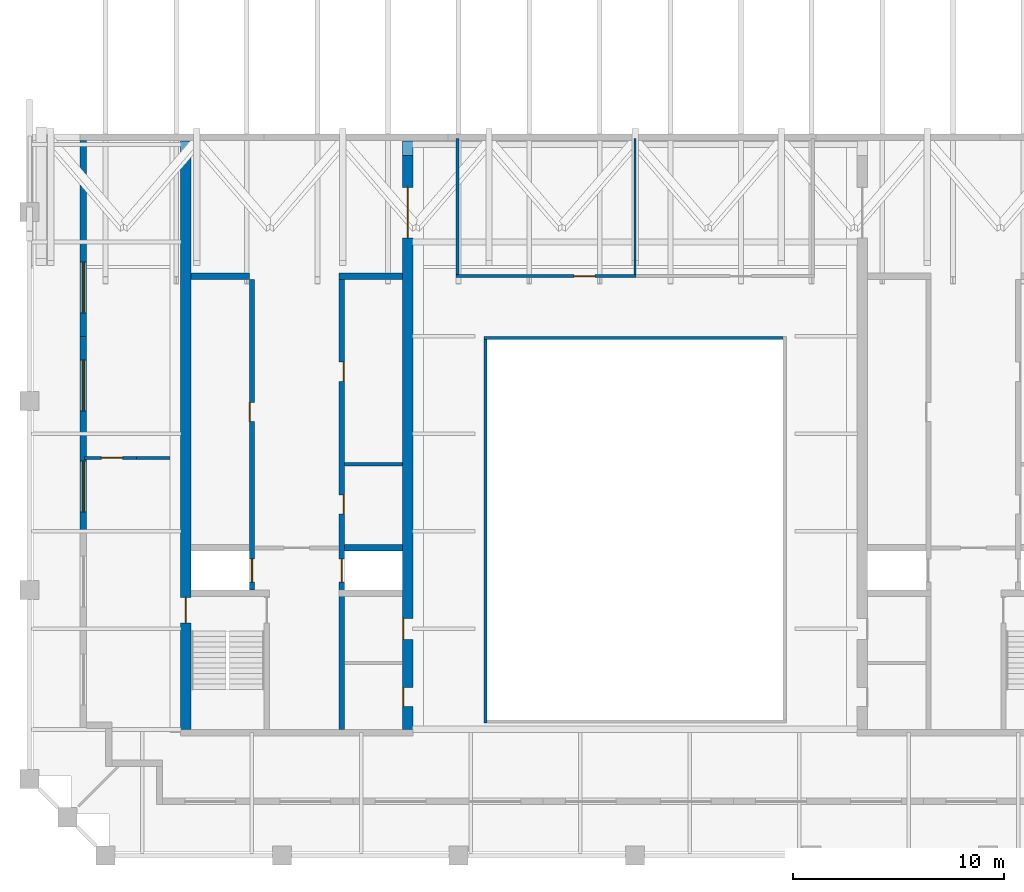
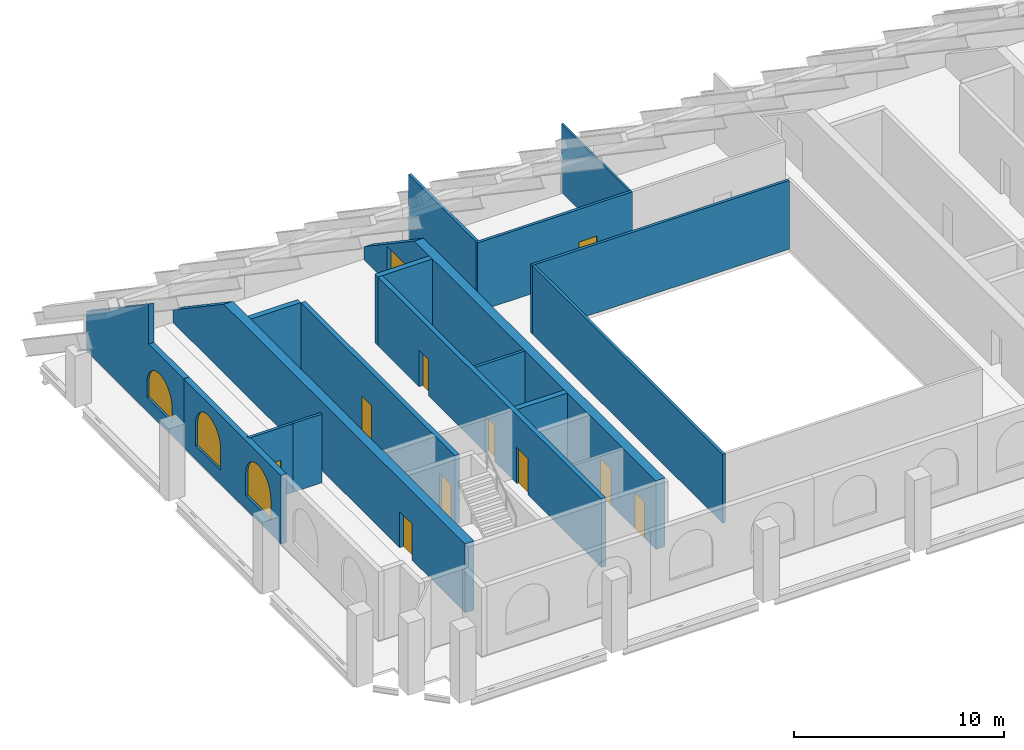
# One storey, part 3 of 6: 17 walls, 11 doors, 3 windows, 14 openings.
"""IFC4 building model written with IfcOpenShell, lengths in metres."""

from ifc_helpers import new_model, si_unit, direction, frame, frame_2d, origin, place, context, subcontext, project, spatial, polyline, rectangle, outline, extrude, material, layer, layer_set, type_object, element, fill, save


model = new_model("IFC4")

# Units and contexts
model_context = context("Model", 3, precision=1e-05, world=origin(), true_north=direction((0.0, 1.0)))
body_context = subcontext(model_context, "Body", "Model", "MODEL_VIEW")
ifc_project = project(units=[si_unit("LENGTHUNIT", "METRE"), si_unit("AREAUNIT", "SQUARE_METRE"), si_unit("VOLUMEUNIT", "CUBIC_METRE"), si_unit("PLANEANGLEUNIT", "RADIAN"), si_unit("MASSUNIT", "GRAM", prefix="KILO")], contexts=[model_context])

# Site, building, storey
site_placement = place(None, origin())
site = spatial("IfcSite", under=ifc_project, at=site_placement, CompositionType="ELEMENT")
building_placement = place(site_placement, origin())
building = spatial("IfcBuilding", under=site, at=building_placement, Name="Ogive Exchange Tower", CompositionType="ELEMENT")
storey_placement = place(building_placement, frame((0.0, 0.0, 390.0)))
storey = spatial("IfcBuildingStorey", under=building, at=storey_placement, Name="C06", CompositionType="ELEMENT", Elevation=390.0)

# Walls
ifc_material_1 = material(Name="Gypsum board partition")
ifc_layer_1 = layer(ifc_material_1, 0.14990234375)
ifc_layer_set_1 = layer_set([ifc_layer_1], Name="Core room partition 150 gypsum")
wall_type_1 = type_object("IfcWallType", Name="Core room partition 150 gypsum", PredefinedType="PARTITIONING", material=ifc_layer_set_1)
wall_1_placement = place(storey_placement, frame((-13.75, 10.10009765625, 0.0), z_axis=(0.0, 0.0, 1.0), x_axis=(1.0, 0.0, 0.0)))
element("IfcWall", 1, at=wall_1_placement, inside=storey, type_object=wall_type_1, Name="W row B bay partition 1-1", PredefinedType="PARTITIONING", context=body_context, shape_type="SweptSolid", body=[
    extrude(rectangle(XDim=2.75, YDim=0.14990234375, at=frame_2d((1.375, 0.0))), origin(), (0.0, 0.0, 1.0), 4.0),
])
ifc_layer_2 = layer(ifc_material_1, 0.300048828125)
ifc_layer_set_2 = layer_set([ifc_layer_2], Name="Core room partition 300 gypsum")
wall_type_2 = type_object("IfcWallType", Name="Core room partition 300 gypsum", PredefinedType="PARTITIONING", material=ifc_layer_set_2)
wall_2_placement = place(storey_placement, frame((-21.0, 19.0, 0.0), z_axis=(0.0, 0.0, 1.0), x_axis=(1.0, 0.0, 0.0)))
element("IfcWall", 2, at=wall_2_placement, inside=storey, type_object=wall_type_2, Name="W row A room end wall 7", PredefinedType="PARTITIONING", context=body_context, shape_type="SweptSolid", body=[
    extrude(rectangle(XDim=2.75, YDim=0.300048828125, at=frame_2d((1.375, 0.0))), origin(), (0.0, 0.0, 1.0), 4.0),
])
wall_3_placement = place(storey_placement, frame((-14.0, 19.0, 0.0), z_axis=(0.0, 0.0, 1.0), x_axis=(1.0, 0.0, 0.0)))
element("IfcWall", 3, at=wall_3_placement, inside=storey, type_object=wall_type_2, Name="W row B room end wall 7", PredefinedType="PARTITIONING", context=body_context, shape_type="SweptSolid", body=[
    extrude(rectangle(XDim=3.0, YDim=0.300048828125, at=frame_2d((1.5, 0.0))), origin(), (0.0, 0.0, 1.0), 4.0),
])

# Wall, opening, door
ifc_material_2 = material(Name="Fire partition EI 60 150")
ifc_layer_3 = layer(ifc_material_2, 0.14990234375)
ifc_layer_set_3 = layer_set([ifc_layer_3], Name="Fire partition EI 60 150")
wall_type_3 = type_object("IfcWallType", Name="Fire partition EI 60 150", PredefinedType="PARTITIONING", material=ifc_layer_set_3)
wall_4_placement = place(storey_placement, frame((-26.050048828125, 10.39990234375, 0.0), z_axis=(0.0, 0.0, 1.0), x_axis=(1.0, 0.0, 0.0)))
wall_4 = element("IfcWall", 4, at=wall_4_placement, inside=storey, type_object=wall_type_3, Name="C06-PWL-001", PredefinedType="PARTITIONING", context=body_context, shape_type="SweptSolid", body=[
    extrude(rectangle(XDim=2.449951171875, YDim=0.14990234375, at=frame_2d((1.22509765625, 0.0))), origin(), (0.0, 0.0, 1.0), 4.0),
])
opening_1_placement = place(wall_4_placement, frame((0.800048828125, 0.0, 0.0)))
opening_1 = element("IfcOpeningElement", 5, at=opening_1_placement, cuts=wall_4, Name="Opening C06-I03", PredefinedType="OPENING", context=body_context, shape_type="SweptSolid", body=[
    extrude(rectangle(XDim=1.0, YDim=2.10009765625, at=frame_2d((0.5, 1.050048828125))), frame((0.0, 0.0849609375, 0.0), z_axis=(0.0, -1.0, 0.0), x_axis=(1.0, 0.0, 0.0)), (0.0, 0.0, 1.0), 0.169921875),
])
ifc_material_3 = material(Name="Fire door FD 30S 1000 x 2100")
door_type_1 = type_object("IfcDoorType", Name="Fire door FD 30S 1000 x 2100", OperationType="NOTDEFINED", PredefinedType="DOOR", material=ifc_material_3)
door_1_placement = place(opening_1_placement, origin())
door_1 = element("IfcDoor", 6, at=door_1_placement, inside=storey, type_object=door_type_1, Name="C06-IDR-003", ObjectType="DT3", OperationType="SINGLE_SWING_RIGHT", OverallHeight=2.10009765625, OverallWidth=1.0, PredefinedType="DOOR", context=body_context, shape_type="SweptSolid", body=[
    extrude(rectangle(XDim=1.0, YDim=2.10009765625, at=frame_2d((0.5, 1.050048828125))), frame((0.0, 0.02490234375, 0.0), z_axis=(0.0, -1.0, 0.0), x_axis=(1.0, 0.0, 0.0)), (0.0, 0.0, 1.0), 0.050048828125),
])
fill(opening_1, door_1)

# Wall
wall_5_placement = place(storey_placement, frame((-23.60009765625, 10.39990234375, 0.0), z_axis=(0.0, 0.0, 1.0), x_axis=(1.0, 0.0, 0.0)))
element("IfcWall", 7, at=wall_5_placement, inside=storey, type_object=wall_type_3, Name="C06-PWL-002", PredefinedType="PARTITIONING", context=body_context, shape_type="SweptSolid", body=[
    extrude(rectangle(XDim=1.60009765625, YDim=0.14990234375, at=frame_2d((0.800048828125, 0.0))), origin(), (0.0, 0.0, 1.0), 4.0),
])

# Wall, opening, door
wall_6_placement = place(storey_placement, frame((-8.47509765625, 19.0, 0.0), z_axis=(0.0, 0.0, 1.0), x_axis=(1.0, 0.0, 0.0)))
wall_6 = element("IfcWall", 8, at=wall_6_placement, inside=storey, type_object=wall_type_3, Name="C06-PWL-003", PredefinedType="PARTITIONING", context=body_context, shape_type="SweptSolid", body=[
    extrude(rectangle(XDim=8.525146484375, YDim=0.14990234375, at=frame_2d((4.2626953125, 0.0))), origin(), (0.0, 0.0, 1.0), 4.0),
])
opening_2_placement = place(wall_6_placement, frame((5.574951171875, 0.0, 0.0)))
opening_2 = element("IfcOpeningElement", 9, at=opening_2_placement, cuts=wall_6, Name="Opening C06-I02", PredefinedType="OPENING", context=body_context, shape_type="SweptSolid", body=[
    extrude(rectangle(XDim=1.0, YDim=2.10009765625, at=frame_2d((0.5, 1.050048828125))), frame((0.0, 0.0849609375, 0.0), z_axis=(0.0, -1.0, 0.0), x_axis=(1.0, 0.0, 0.0)), (0.0, 0.0, 1.0), 0.169921875),
])
door_2_placement = place(opening_2_placement, origin())
door_2 = element("IfcDoor", 10, at=door_2_placement, inside=storey, type_object=door_type_1, Name="C06-IDR-002", ObjectType="DT3", OperationType="SINGLE_SWING_LEFT", OverallHeight=2.10009765625, OverallWidth=1.0, PredefinedType="DOOR", context=body_context, shape_type="SweptSolid", body=[
    extrude(rectangle(XDim=1.0, YDim=2.10009765625, at=frame_2d((0.5, 1.050048828125))), frame((0.0, 0.02490234375, 0.0), z_axis=(0.0, -1.0, 0.0), x_axis=(1.0, 0.0, 0.0)), (0.0, 0.0, 1.0), 0.050048828125),
])
fill(opening_2, door_2)

# Walls
wall_7_placement = place(storey_placement, frame((-8.39990234375, 25.52099609375, 0.0), z_axis=(0.0, 0.0, 1.0), x_axis=(0.0, -1.0, 0.0)))
element("IfcWall", 11, at=wall_7_placement, inside=storey, type_object=wall_type_3, Name="C06-PWL-004", PredefinedType="PARTITIONING", context=body_context, shape_type="SweptSolid", body=[
    extrude(rectangle(XDim=6.446044921875, YDim=0.14990234375, at=frame_2d((3.22314453125, 0.0))), origin(), (0.0, 0.0, 1.0), 4.0),
])
ifc_material_4 = material(Name="Fire-resisting glass in steel frame", Category="steel")
ifc_layer_4 = layer(ifc_material_4, 0.14990234375)
ifc_layer_set_4 = layer_set([ifc_layer_4], Name="Fire-rated glazed wall 150")
wall_type_4 = type_object("IfcWallType", Name="Fire-rated glazed wall 150", PredefinedType="STANDARD", material=ifc_layer_set_4)
wall_8_placement = place(storey_placement, frame((-7.074951171875, -2.14990234375, 0.0), z_axis=(0.0, 0.0, 1.0), x_axis=(0.0, 1.0, 0.0)))
element("IfcWall", 12, at=wall_8_placement, inside=storey, type_object=wall_type_4, Name="Nave enclosure wall 1", PredefinedType="STANDARD", context=body_context, shape_type="SweptSolid", body=[
    extrude(rectangle(XDim=18.2998046875, YDim=0.14990234375, at=frame_2d((9.14990234375, 0.0))), origin(), (0.0, 0.0, 1.0), 4.0),
])
wall_9_placement = place(storey_placement, frame((-7.14990234375, 16.074951171875, 0.0), z_axis=(0.0, 0.0, 1.0), x_axis=(1.0, 0.0, 0.0)))
element("IfcWall", 13, at=wall_9_placement, inside=storey, type_object=wall_type_4, Name="Nave enclosure wall 2", PredefinedType="STANDARD", context=body_context, shape_type="SweptSolid", body=[
    extrude(rectangle(XDim=14.14990234375, YDim=0.14990234375, at=frame_2d((7.074951171875, 0.0))), origin(), (0.0, 0.0, 1.0), 4.0),
])
ifc_material_5 = material(Name="Partition 100 gypsum")
ifc_layer_5 = layer(ifc_material_5, 0.10009765625)
ifc_layer_set_5 = layer_set([ifc_layer_5], Name="Partition 100 gypsum")
wall_type_5 = type_object("IfcWallType", Name="Partition 100 gypsum", PredefinedType="PARTITIONING", material=ifc_layer_set_5)
wall_10_placement = place(storey_placement, frame((0.0, 19.074951171875, 0.0), z_axis=(0.0, 0.0, 1.0), x_axis=(0.0, 1.0, 0.0)))
element("IfcWall", 14, at=wall_10_placement, inside=storey, type_object=wall_type_5, Name="C06-PWL-005", PredefinedType="PARTITIONING", context=body_context, shape_type="SweptSolid", body=[
    extrude(rectangle(XDim=6.446044921875, YDim=0.10009765625, at=frame_2d((3.22314453125, 0.0))), origin(), (0.0, 0.0, 1.0), 4.0),
])

# Wall, openings, doors
ifc_material_6 = material(Name="Concrete C70/85", Category="concrete")
ifc_layer_6 = layer(ifc_material_6, 0.25)
ifc_layer_set_6 = layer_set([ifc_layer_6], Name="RC core wall 250 C70/85")
wall_type_6 = type_object("IfcWallType", Name="RC core wall 250 C70/85", PredefinedType="SHEAR", material=ifc_layer_set_6)
wall_11_placement = place(storey_placement, frame((-18.125, 4.14990234375, 0.0), z_axis=(0.0, 0.0, 1.0), x_axis=(0.0, 1.0, 0.0)))
wall_11 = element("IfcWall", 15, at=wall_11_placement, inside=storey, type_object=wall_type_6, Name="W row A front wall", PredefinedType="SHEAR", context=body_context, shape_type="SweptSolid", body=[
    extrude(rectangle(XDim=14.7001953125, YDim=0.25, at=frame_2d((7.35009765625, 0.0))), origin(), (0.0, 0.0, 1.0), 4.0),
])
opening_3_placement = place(wall_11_placement, frame((7.971435546875, 0.0, 0.0)))
opening_3 = element("IfcOpeningElement", 16, at=opening_3_placement, cuts=wall_11, Name="Opening C06-C01", PredefinedType="OPENING", context=body_context, shape_type="SweptSolid", body=[
    extrude(rectangle(XDim=0.89990234375, YDim=2.10009765625, at=frame_2d((0.449951171875, 1.050048828125))), frame((0.0, 0.135009765625, 0.0), z_axis=(0.0, -1.0, 0.0), x_axis=(1.0, 0.0, 0.0)), (0.0, 0.0, 1.0), 0.27001953125),
])
opening_4_placement = place(wall_11_placement, frame((0.371337890625, 0.0, 0.0)))
opening_4 = element("IfcOpeningElement", 17, at=opening_4_placement, cuts=wall_11, Name="Opening C06-C02", PredefinedType="OPENING", context=body_context, shape_type="SweptSolid", body=[
    extrude(rectangle(XDim=1.10009765625, YDim=2.10009765625, at=frame_2d((0.550048828125, 1.050048828125))), frame((0.0, 0.135009765625, 0.0), z_axis=(0.0, -1.0, 0.0), x_axis=(1.0, 0.0, 0.0)), (0.0, 0.0, 1.0), 0.27001953125),
])
ifc_material_7 = material(Name="Stainless steel", Category="steel")
door_type_2 = type_object("IfcDoorType", Name="Lift landing door FD90 1100 x 2100", OperationType="SLIDING_TO_LEFT", PredefinedType="DOOR", material=ifc_material_7)
door_3_placement = place(opening_4_placement, origin())
door_3 = element("IfcDoor", 18, at=door_3_placement, inside=storey, type_object=door_type_2, Name="Lift landing door FF1", ObjectType="LD", OperationType="SLIDING_TO_LEFT", OverallHeight=2.10009765625, OverallWidth=1.10009765625, PredefinedType="DOOR", context=body_context, shape_type="SweptSolid", body=[
    extrude(rectangle(XDim=1.10009765625, YDim=2.10009765625, at=frame_2d((0.550048828125, 1.050048828125))), frame((0.0, 0.02490234375, 0.0), z_axis=(0.0, -1.0, 0.0), x_axis=(1.0, 0.0, 0.0)), (0.0, 0.0, 1.0), 0.050048828125),
])
fill(opening_4, door_3)
ifc_material_8 = material(Name="Steel fire door", Category="steel")
door_type_3 = type_object("IfcDoorType", Name="Riser door FD60 900 x 2100", OperationType="NOTDEFINED", PredefinedType="DOOR", material=ifc_material_8)
door_4_placement = place(opening_3_placement, origin())
door_4 = element("IfcDoor", 19, at=door_4_placement, inside=storey, type_object=door_type_3, Name="Riser door", ObjectType="CD2", OperationType="SINGLE_SWING_RIGHT", OverallHeight=2.10009765625, OverallWidth=0.89990234375, PredefinedType="DOOR", context=body_context, shape_type="SweptSolid", body=[
    extrude(rectangle(XDim=0.89990234375, YDim=2.10009765625, at=frame_2d((0.449951171875, 1.050048828125))), frame((0.0, 0.125, 0.0), z_axis=(0.0, -1.0, 0.0), x_axis=(1.0, 0.0, 0.0)), (0.0, 0.0, 1.0), 0.050048828125),
])
fill(opening_3, door_4)

wall_12_placement = place(storey_placement, frame((-13.875, -2.449951171875, 0.0), z_axis=(0.0, 0.0, 1.0), x_axis=(0.0, 1.0, 0.0)))
wall_12 = element("IfcWall", 20, at=wall_12_placement, inside=storey, type_object=wall_type_6, Name="W row B front wall", PredefinedType="SHEAR", context=body_context, shape_type="SweptSolid", body=[
    extrude(rectangle(XDim=21.300048828125, YDim=0.25, at=frame_2d((10.64990234375, 0.0))), origin(), (0.0, 0.0, 1.0), 4.0),
])
opening_5_placement = place(wall_12_placement, frame((10.1962890625, 0.0, 0.0)))
opening_5 = element("IfcOpeningElement", 21, at=opening_5_placement, cuts=wall_12, Name="Opening C06-C03", PredefinedType="OPENING", context=body_context, shape_type="SweptSolid", body=[
    extrude(rectangle(XDim=0.89990234375, YDim=2.10009765625, at=frame_2d((0.449951171875, 1.050048828125))), frame((0.0, 0.135009765625, 0.0), z_axis=(0.0, -1.0, 0.0), x_axis=(1.0, 0.0, 0.0)), (0.0, 0.0, 1.0), 0.27001953125),
])
opening_6_placement = place(wall_12_placement, frame((16.47509765625, 0.0, 0.0)))
opening_6 = element("IfcOpeningElement", 22, at=opening_6_placement, cuts=wall_12, Name="Opening C06-C04", PredefinedType="OPENING", context=body_context, shape_type="SweptSolid", body=[
    extrude(rectangle(XDim=0.89990234375, YDim=2.10009765625, at=frame_2d((0.449951171875, 1.050048828125))), frame((0.0, 0.135009765625, 0.0), z_axis=(0.0, -1.0, 0.0), x_axis=(1.0, 0.0, 0.0)), (0.0, 0.0, 1.0), 0.27001953125),
])
opening_7_placement = place(wall_12_placement, frame((6.971435546875, 0.0, 0.0)))
opening_7 = element("IfcOpeningElement", 23, at=opening_7_placement, cuts=wall_12, Name="Opening C06-C05", PredefinedType="OPENING", context=body_context, shape_type="SweptSolid", body=[
    extrude(rectangle(XDim=1.10009765625, YDim=2.10009765625, at=frame_2d((0.550048828125, 1.050048828125))), frame((0.0, 0.135009765625, 0.0), z_axis=(0.0, -1.0, 0.0), x_axis=(1.0, 0.0, 0.0)), (0.0, 0.0, 1.0), 0.27001953125),
])
door_5_placement = place(opening_7_placement, origin())
door_5 = element("IfcDoor", 24, at=door_5_placement, inside=storey, type_object=door_type_2, Name="Lift landing door SV1", ObjectType="LD", OperationType="SLIDING_TO_LEFT", OverallHeight=2.10009765625, OverallWidth=1.10009765625, PredefinedType="DOOR", context=body_context, shape_type="SweptSolid", body=[
    extrude(rectangle(XDim=1.10009765625, YDim=2.10009765625, at=frame_2d((0.550048828125, 1.050048828125))), frame((0.0, 0.02490234375, 0.0), z_axis=(0.0, -1.0, 0.0), x_axis=(1.0, 0.0, 0.0)), (0.0, 0.0, 1.0), 0.050048828125),
])
fill(opening_7, door_5)
door_6_placement = place(opening_5_placement, frame((0.89990234375, -0.2001953125, 0.0), z_axis=(0.0, 0.0, 1.0), x_axis=(-1.0, 0.0, 0.0)))
door_6 = element("IfcDoor", 25, at=door_6_placement, inside=storey, type_object=door_type_3, Name="Riser door", ObjectType="CD2", OperationType="SINGLE_SWING_LEFT", OverallHeight=2.10009765625, OverallWidth=0.89990234375, PredefinedType="DOOR", context=body_context, shape_type="SweptSolid", body=[
    extrude(rectangle(XDim=0.89990234375, YDim=2.10009765625, at=frame_2d((0.449951171875, 1.050048828125))), frame((0.0, -0.0751953125, 0.0), z_axis=(0.0, -1.0, 0.0), x_axis=(1.0, 0.0, 0.0)), (0.0, 0.0, 1.0), 0.050048828125),
])
fill(opening_5, door_6)
door_7_placement = place(opening_6_placement, frame((0.89990234375, -0.2001953125, 0.0), z_axis=(0.0, 0.0, 1.0), x_axis=(-1.0, 0.0, 0.0)))
door_7 = element("IfcDoor", 26, at=door_7_placement, inside=storey, type_object=door_type_3, Name="Riser door", ObjectType="CD2", OperationType="SINGLE_SWING_RIGHT", OverallHeight=2.10009765625, OverallWidth=0.89990234375, PredefinedType="DOOR", context=body_context, shape_type="SweptSolid", body=[
    extrude(rectangle(XDim=0.89990234375, YDim=2.10009765625, at=frame_2d((0.449951171875, 1.050048828125))), frame((0.0, -0.0751953125, 0.0), z_axis=(0.0, -1.0, 0.0), x_axis=(1.0, 0.0, 0.0)), (0.0, 0.0, 1.0), 0.050048828125),
])
fill(opening_6, door_7)

# Wall
ifc_layer_7 = layer(ifc_material_6, 0.300048828125)
ifc_layer_set_7 = layer_set([ifc_layer_7], Name="RC core wall 300 C70/85")
wall_type_7 = type_object("IfcWallType", Name="RC core wall 300 C70/85", PredefinedType="SHEAR", material=ifc_layer_set_7)
wall_13_placement = place(storey_placement, frame((-13.75, 6.142822265625, 0.0), z_axis=(0.0, 0.0, 1.0), x_axis=(1.0, 0.0, 0.0)))
element("IfcWall", 27, at=wall_13_placement, inside=storey, type_object=wall_type_7, Name="W row B divider 1", PredefinedType="SHEAR", context=body_context, shape_type="SweptSolid", body=[
    extrude(rectangle(XDim=2.75, YDim=0.300048828125, at=frame_2d((1.375, 0.0))), origin(), (0.0, 0.0, 1.0), 4.0),
])

# Wall, opening, door
ifc_layer_8 = layer(ifc_material_6, 0.5)
ifc_layer_set_8 = layer_set([ifc_layer_8], Name="RC core wall 500 C70/85")
wall_type_8 = type_object("IfcWallType", Name="RC core wall 500 C70/85", PredefinedType="SHEAR", material=ifc_layer_set_8)
wall_14_placement = place(storey_placement, frame((-21.25, -2.449951171875, 0.0), z_axis=(0.0, 0.0, 1.0), x_axis=(0.0, 1.0, 0.0)))
wall_14 = element("IfcWall", 28, at=wall_14_placement, inside=storey, type_object=wall_type_8, Name="W outer wall", PredefinedType="SHEAR", context=body_context, shape_type="SweptSolid", body=[
    extrude(outline(polyline([(0.0, 0.0), (27.830810546875, 0.0), (27.830810546875, 0.753662109375), (23.017822265625, 4.0), (0.0, 4.0), (0.0, 0.0)])), frame((0.0, 0.25, 0.0), z_axis=(0.0, -1.0, 0.0), x_axis=(1.0, 0.0, 0.0)), (0.0, 0.0, 1.0), 0.5),
])
opening_8_placement = place(wall_14_placement, frame((5.050048828125, 0.0, 0.0)))
opening_8 = element("IfcOpeningElement", 29, at=opening_8_placement, cuts=wall_14, Name="Opening C06-C09", PredefinedType="OPENING", context=body_context, shape_type="SweptSolid", body=[
    extrude(rectangle(XDim=1.199951171875, YDim=2.10009765625, at=frame_2d((0.60009765625, 1.050048828125))), frame((0.0, 0.260009765625, 0.0), z_axis=(0.0, -1.0, 0.0), x_axis=(1.0, 0.0, 0.0)), (0.0, 0.0, 1.0), 0.52001953125),
])
door_type_4 = type_object("IfcDoorType", Name="Stair door FD90 1200 x 2100", OperationType="NOTDEFINED", PredefinedType="DOOR", material=ifc_material_8)
door_8_placement = place(opening_8_placement, origin())
door_8 = element("IfcDoor", 30, at=door_8_placement, inside=storey, type_object=door_type_4, Name="Stair door", ObjectType="CD5", OperationType="SINGLE_SWING_RIGHT", OverallHeight=2.10009765625, OverallWidth=1.199951171875, PredefinedType="DOOR", context=body_context, shape_type="SweptSolid", body=[
    extrude(rectangle(XDim=1.199951171875, YDim=2.10009765625, at=frame_2d((0.60009765625, 1.050048828125))), frame((0.0, 0.02490234375, 0.0), z_axis=(0.0, -1.0, 0.0), x_axis=(1.0, 0.0, 0.0)), (0.0, 0.0, 1.0), 0.050048828125),
])
fill(opening_8, door_8)

# Wall, openings, doors
wall_15_placement = place(storey_placement, frame((-10.75, -2.449951171875, 0.0), z_axis=(0.0, 0.0, 1.0), x_axis=(0.0, 1.0, 0.0)))
wall_15 = element("IfcWall", 31, at=wall_15_placement, inside=storey, type_object=wall_type_8, Name="W inner wall", PredefinedType="SHEAR", context=body_context, shape_type="SweptSolid", body=[
    extrude(outline(polyline([(0.0, 0.0), (27.830810546875, 0.0), (27.830810546875, 0.753662109375), (23.017822265625, 4.0), (0.0, 4.0), (0.0, 0.0)])), frame((0.0, 0.25, 0.0), z_axis=(0.0, -1.0, 0.0), x_axis=(1.0, 0.0, 0.0)), (0.0, 0.0, 1.0), 0.5),
])
opening_9_placement = place(wall_15_placement, frame((23.25, 0.0, 0.0)))
opening_9 = element("IfcOpeningElement", 32, at=opening_9_placement, cuts=wall_15, Name="Opening C06-C07", PredefinedType="OPENING", context=body_context, shape_type="SweptSolid", body=[
    extrude(rectangle(XDim=2.39990234375, YDim=2.10009765625, at=frame_2d((1.199951171875, 1.050048828125))), frame((0.0, 0.260009765625, 0.0), z_axis=(0.0, -1.0, 0.0), x_axis=(1.0, 0.0, 0.0)), (0.0, 0.0, 1.0), 0.52001953125),
])
opening_10_placement = place(wall_15_placement, frame((1.08740234375, 0.0, 0.0)))
opening_10 = element("IfcOpeningElement", 33, at=opening_10_placement, cuts=wall_15, Name="Opening C06-C10", PredefinedType="OPENING", context=body_context, shape_type="SweptSolid", body=[
    extrude(rectangle(XDim=0.89990234375, YDim=2.10009765625, at=frame_2d((0.449951171875, 1.050048828125))), frame((0.0, 0.260009765625, 0.0), z_axis=(0.0, -1.0, 0.0), x_axis=(1.0, 0.0, 0.0)), (0.0, 0.0, 1.0), 0.52001953125),
])
opening_11_placement = place(wall_15_placement, frame((4.262451171875, 0.0, 0.0)))
opening_11 = element("IfcOpeningElement", 34, at=opening_11_placement, cuts=wall_15, Name="Opening C06-C11", PredefinedType="OPENING", context=body_context, shape_type="SweptSolid", body=[
    extrude(rectangle(XDim=1.0, YDim=2.10009765625, at=frame_2d((0.5, 1.050048828125))), frame((0.0, 0.260009765625, 0.0), z_axis=(0.0, -1.0, 0.0), x_axis=(1.0, 0.0, 0.0)), (0.0, 0.0, 1.0), 0.52001953125),
])
ifc_material_9 = material(Name="Timber fire door", Category="wood")
door_type_5 = type_object("IfcDoorType", Name="Accessible WC door FD30S 1000 x 2100", OperationType="NOTDEFINED", PredefinedType="DOOR", material=ifc_material_9)
door_9_placement = place(opening_11_placement, frame((1.0, 0.4501953125, 0.0), z_axis=(0.0, 0.0, 1.0), x_axis=(-1.0, 0.0, 0.0)))
door_9 = element("IfcDoor", 35, at=door_9_placement, inside=storey, type_object=door_type_5, Name="Accessible WC door", ObjectType="CD7", OperationType="SINGLE_SWING_RIGHT", OverallHeight=2.10009765625, OverallWidth=1.0, PredefinedType="DOOR", context=body_context, shape_type="SweptSolid", body=[
    extrude(rectangle(XDim=1.0, YDim=2.10009765625, at=frame_2d((0.5, 1.050048828125))), frame((0.0, 0.25, 0.0), z_axis=(0.0, -1.0, 0.0), x_axis=(1.0, 0.0, 0.0)), (0.0, 0.0, 1.0), 0.050048828125),
])
fill(opening_11, door_9)
door_type_6 = type_object("IfcDoorType", Name="Core room door FD30S 900 x 2100", OperationType="NOTDEFINED", PredefinedType="DOOR", material=ifc_material_9)
door_10_placement = place(opening_10_placement, frame((0.89990234375, 0.4501953125, 0.0), z_axis=(0.0, 0.0, 1.0), x_axis=(-1.0, 0.0, 0.0)))
door_10 = element("IfcDoor", 36, at=door_10_placement, inside=storey, type_object=door_type_6, Name="Core room door", ObjectType="CD6", OperationType="SINGLE_SWING_RIGHT", OverallHeight=2.10009765625, OverallWidth=0.89990234375, PredefinedType="DOOR", context=body_context, shape_type="SweptSolid", body=[
    extrude(rectangle(XDim=0.89990234375, YDim=2.10009765625, at=frame_2d((0.449951171875, 1.050048828125))), frame((0.0, 0.25, 0.0), z_axis=(0.0, -1.0, 0.0), x_axis=(1.0, 0.0, 0.0)), (0.0, 0.0, 1.0), 0.050048828125),
])
fill(opening_10, door_10)
ifc_material_10 = material(Name="Glazed steel fire door", Category="steel")
door_type_7 = type_object("IfcDoorType", Name="Lift lobby double door FD60 2400 x 2100", OperationType="DOUBLE_DOOR_SINGLE_SWING", PredefinedType="DOOR", material=ifc_material_10)
door_11_placement = place(opening_9_placement, frame((2.39990234375, 0.0, 0.0), z_axis=(0.0, 0.0, 1.0), x_axis=(-1.0, 0.0, 0.0)))
door_11 = element("IfcDoor", 37, at=door_11_placement, inside=storey, type_object=door_type_7, Name="Lift lobby double door", ObjectType="CD4", OperationType="DOUBLE_DOOR_SINGLE_SWING", OverallHeight=2.10009765625, OverallWidth=2.39990234375, PredefinedType="DOOR", context=body_context, shape_type="SweptSolid", body=[
    extrude(rectangle(XDim=2.39990234375, YDim=2.10009765625, at=frame_2d((1.199951171875, 1.050048828125))), frame((0.0, 0.02490234375, 0.0), z_axis=(0.0, -1.0, 0.0), x_axis=(1.0, 0.0, 0.0)), (0.0, 0.0, 1.0), 0.050048828125),
])
fill(opening_9, door_11)

# Wall, opening, window
ifc_material_11 = material(Name="Precast concrete C40/50", Category="concrete")
ifc_layer_9 = layer(ifc_material_11, 0.300048828125)
ifc_layer_set_9 = layer_set([ifc_layer_9], Name="Zinc-clad crown wall 300")
wall_type_9 = type_object("IfcWallType", Name="Zinc-clad crown wall 300", PredefinedType="STANDARD", material=ifc_layer_set_9)
wall_16_placement = place(storey_placement, frame((-26.10009765625, 25.4208984375, 0.0), z_axis=(0.0, 0.0, 1.0), x_axis=(0.0, -1.0, 0.0)))
wall_16 = element("IfcWall", 38, at=wall_16_placement, inside=storey, type_object=wall_type_9, Name="Crown wall 22", PredefinedType="STANDARD", context=body_context, shape_type="SweptSolid", body=[
    extrude(outline(polyline([(0.0, 0.0), (9.273681640625, 0.0), (9.273681640625, 4.0), (5.9267578125, 4.0), (5.9267578125, 6.2978515625), (5.90673828125, 6.284912109375), (2.519287109375, 4.0), (0.0, 2.30078125), (0.0, 0.0)])), frame((0.0, 0.14990234375, 0.0), z_axis=(0.0, -1.0, 0.0), x_axis=(1.0, 0.0, 0.0)), (0.0, 0.0, 1.0), 0.300048828125),
])
opening_12_placement = place(wall_16_placement, frame((5.755126953125, 0.0, 0.800048828125)))
opening_12 = element("IfcOpeningElement", 39, at=opening_12_placement, cuts=wall_16, Name="Opening WC25A", PredefinedType="OPENING", context=body_context, shape_type="SweptSolid", body=[
    extrude(outline(polyline([(0.0, 0.0), (2.39990234375, 0.0), (2.39990234375, 0.85009765625), (2.377197265625, 1.087890625), (2.3095703125, 1.317138671875), (2.19970703125, 1.529052734375), (2.05126953125, 1.716552734375), (1.8701171875, 1.872314453125), (1.662841796875, 1.99072265625), (1.4365234375, 2.067626953125), (1.199951171875, 2.10009765625), (0.96337890625, 2.067626953125), (0.737060546875, 1.99072265625), (0.52978515625, 1.872314453125), (0.3486328125, 1.716552734375), (0.2001953125, 1.529052734375), (0.09033203125, 1.317138671875), (0.022705078125, 1.087890625), (0.0, 0.85009765625), (0.0, 0.0)])), frame((0.0, 0.159912109375, 0.0), z_axis=(0.0, -1.0, 0.0), x_axis=(1.0, 0.0, 0.0)), (0.0, 0.0, 1.0), 0.320068359375),
])
ifc_material_12 = material(Name="Clear glass in bronze frame", Category="glass")
window_type_1 = type_object("IfcWindowType", Name="Crown lancet window 2400 x 2100", PartitioningType="DOUBLE_PANEL_VERTICAL", PredefinedType="WINDOW", material=ifc_material_12)
window_1_placement = place(opening_12_placement, origin())
window_1 = element("IfcWindow", 40, at=window_1_placement, inside=storey, type_object=window_type_1, Name="Crown lancet 22.2", OverallHeight=2.10009765625, OverallWidth=2.39990234375, PartitioningType="DOUBLE_PANEL_VERTICAL", PredefinedType="WINDOW", context=body_context, shape_type="SweptSolid", body=[
    extrude(outline(polyline([(0.0, 0.0), (2.39990234375, 0.0), (2.39990234375, 0.85009765625), (2.377197265625, 1.087890625), (2.3095703125, 1.317138671875), (2.19970703125, 1.529052734375), (2.05126953125, 1.716552734375), (1.8701171875, 1.872314453125), (1.662841796875, 1.99072265625), (1.4365234375, 2.067626953125), (1.199951171875, 2.10009765625), (0.96337890625, 2.067626953125), (0.737060546875, 1.99072265625), (0.52978515625, 1.872314453125), (0.3486328125, 1.716552734375), (0.2001953125, 1.529052734375), (0.09033203125, 1.317138671875), (0.022705078125, 1.087890625), (0.0, 0.85009765625), (0.0, 0.0)])), frame((0.0, 0.030029296875, 0.0), z_axis=(0.0, -1.0, 0.0), x_axis=(1.0, 0.0, 0.0)), (0.0, 0.0, 1.0), 0.06005859375),
])
fill(opening_12, window_1)

# Wall, openings, windows
wall_17_placement = place(storey_placement, frame((-26.10009765625, 16.147216796875, 0.0), z_axis=(0.0, 0.0, 1.0), x_axis=(0.0, -1.0, 0.0)))
wall_17 = element("IfcWall", 41, at=wall_17_placement, inside=storey, type_object=wall_type_9, Name="Crown wall 23", PredefinedType="STANDARD", context=body_context, shape_type="SweptSolid", body=[
    extrude(rectangle(XDim=9.273681640625, YDim=0.300048828125, at=frame_2d((4.63671875, 0.0))), origin(), (0.0, 0.0, 1.0), 4.0),
])
opening_13_placement = place(wall_17_placement, frame((1.118408203125, 0.0, 0.800048828125)))
opening_13 = element("IfcOpeningElement", 42, at=opening_13_placement, cuts=wall_17, Name="Opening WC25", PredefinedType="OPENING", context=body_context, shape_type="SweptSolid", body=[
    extrude(outline(polyline([(0.0, 0.0), (2.39990234375, 0.0), (2.39990234375, 1.25), (2.377197265625, 1.48779296875), (2.3095703125, 1.717041015625), (2.19970703125, 1.928955078125), (2.05126953125, 2.116455078125), (1.8701171875, 2.272216796875), (1.662841796875, 2.390625), (1.4365234375, 2.467529296875), (1.199951171875, 2.5), (0.96337890625, 2.467529296875), (0.737060546875, 2.390625), (0.52978515625, 2.272216796875), (0.3486328125, 2.116455078125), (0.2001953125, 1.928955078125), (0.09033203125, 1.717041015625), (0.022705078125, 1.48779296875), (0.0, 1.25), (0.0, 0.0)])), frame((0.0, 0.159912109375, 0.0), z_axis=(0.0, -1.0, 0.0), x_axis=(1.0, 0.0, 0.0)), (0.0, 0.0, 1.0), 0.320068359375),
])
opening_14_placement = place(wall_17_placement, frame((5.897216796875, 0.0, 0.800048828125)))
opening_14 = element("IfcOpeningElement", 43, at=opening_14_placement, cuts=wall_17, Name="Opening WC25", PredefinedType="OPENING", context=body_context, shape_type="SweptSolid", body=[
    extrude(outline(polyline([(0.0, 0.0), (2.39990234375, 0.0), (2.39990234375, 1.25), (2.377197265625, 1.48779296875), (2.3095703125, 1.717041015625), (2.19970703125, 1.928955078125), (2.05126953125, 2.116455078125), (1.8701171875, 2.272216796875), (1.662841796875, 2.390625), (1.4365234375, 2.467529296875), (1.199951171875, 2.5), (0.96337890625, 2.467529296875), (0.737060546875, 2.390625), (0.52978515625, 2.272216796875), (0.3486328125, 2.116455078125), (0.2001953125, 1.928955078125), (0.09033203125, 1.717041015625), (0.022705078125, 1.48779296875), (0.0, 1.25), (0.0, 0.0)])), frame((0.0, 0.159912109375, 0.0), z_axis=(0.0, -1.0, 0.0), x_axis=(1.0, 0.0, 0.0)), (0.0, 0.0, 1.0), 0.320068359375),
])
window_type_2 = type_object("IfcWindowType", Name="Crown lancet window 2400 x 2500", PartitioningType="DOUBLE_PANEL_VERTICAL", PredefinedType="WINDOW", material=ifc_material_12)
window_2_placement = place(opening_13_placement, origin())
window_2 = element("IfcWindow", 44, at=window_2_placement, inside=storey, type_object=window_type_2, Name="Crown lancet 23.1", OverallHeight=2.5, OverallWidth=2.39990234375, PartitioningType="DOUBLE_PANEL_VERTICAL", PredefinedType="WINDOW", context=body_context, shape_type="SweptSolid", body=[
    extrude(outline(polyline([(0.0, 0.0), (2.39990234375, 0.0), (2.39990234375, 1.25), (2.377197265625, 1.48779296875), (2.3095703125, 1.717041015625), (2.19970703125, 1.928955078125), (2.05126953125, 2.116455078125), (1.8701171875, 2.272216796875), (1.662841796875, 2.390625), (1.4365234375, 2.467529296875), (1.199951171875, 2.5), (0.96337890625, 2.467529296875), (0.737060546875, 2.390625), (0.52978515625, 2.272216796875), (0.3486328125, 2.116455078125), (0.2001953125, 1.928955078125), (0.09033203125, 1.717041015625), (0.022705078125, 1.48779296875), (0.0, 1.25), (0.0, 0.0)])), frame((0.0, 0.030029296875, 0.0), z_axis=(0.0, -1.0, 0.0), x_axis=(1.0, 0.0, 0.0)), (0.0, 0.0, 1.0), 0.06005859375),
])
fill(opening_13, window_2)
window_3_placement = place(opening_14_placement, origin())
window_3 = element("IfcWindow", 45, at=window_3_placement, inside=storey, type_object=window_type_2, Name="Crown lancet 23.2", OverallHeight=2.5, OverallWidth=2.39990234375, PartitioningType="DOUBLE_PANEL_VERTICAL", PredefinedType="WINDOW", context=body_context, shape_type="SweptSolid", body=[
    extrude(outline(polyline([(0.0, 0.0), (2.39990234375, 0.0), (2.39990234375, 1.25), (2.377197265625, 1.48779296875), (2.3095703125, 1.717041015625), (2.19970703125, 1.928955078125), (2.05126953125, 2.116455078125), (1.8701171875, 2.272216796875), (1.662841796875, 2.390625), (1.4365234375, 2.467529296875), (1.199951171875, 2.5), (0.96337890625, 2.467529296875), (0.737060546875, 2.390625), (0.52978515625, 2.272216796875), (0.3486328125, 2.116455078125), (0.2001953125, 1.928955078125), (0.09033203125, 1.717041015625), (0.022705078125, 1.48779296875), (0.0, 1.25), (0.0, 0.0)])), frame((0.0, 0.030029296875, 0.0), z_axis=(0.0, -1.0, 0.0), x_axis=(1.0, 0.0, 0.0)), (0.0, 0.0, 1.0), 0.06005859375),
])
fill(opening_14, window_3)

save(model, "model.ifc")
